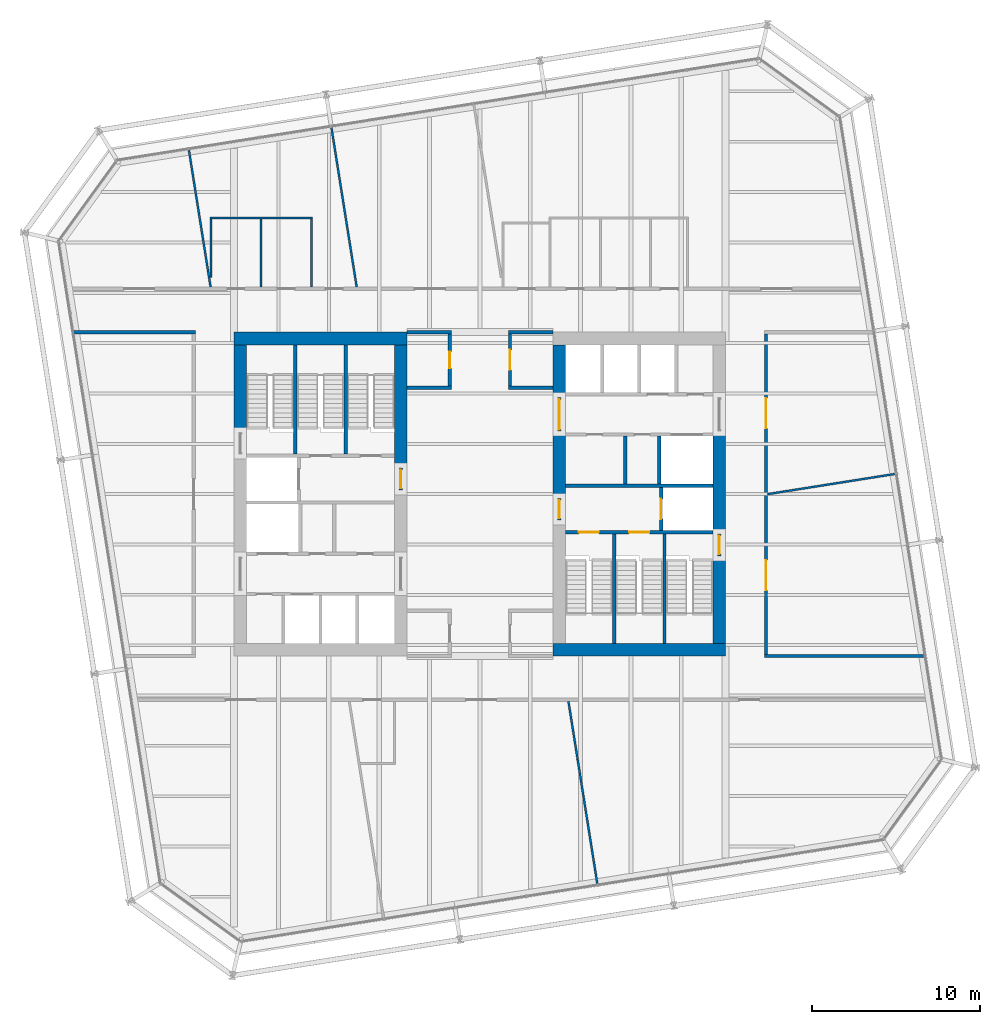
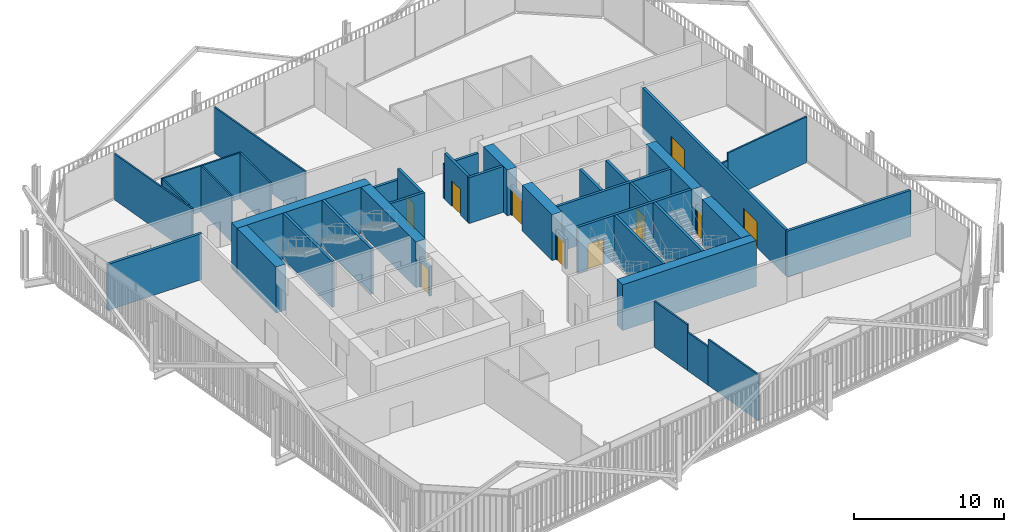
# One storey, part 19 of 22: 41 walls, 11 doors, 11 openings.
"""IFC4 building model written with IfcOpenShell, lengths in metres."""

from ifc_helpers import new_model, si_unit, direction, frame, frame_2d, origin, place, context, subcontext, project, spatial, rectangle, extrude, material, layer, layer_set, type_object, element, fill, save


model = new_model("IFC4")

# Units and contexts
model_context = context("Model", 3, precision=1e-05, world=origin(), true_north=direction((0.0, 1.0)))
body_context = subcontext(model_context, "Body", "Model", "MODEL_VIEW")
ifc_project = project(units=[si_unit("LENGTHUNIT", "METRE"), si_unit("AREAUNIT", "SQUARE_METRE"), si_unit("VOLUMEUNIT", "CUBIC_METRE"), si_unit("PLANEANGLEUNIT", "RADIAN"), si_unit("MASSUNIT", "GRAM", prefix="KILO")], contexts=[model_context])

# Site, building, storey
site_placement = place(None, origin())
site = spatial("IfcSite", under=ifc_project, at=site_placement, CompositionType="ELEMENT")
building_placement = place(site_placement, origin())
building = spatial("IfcBuilding", under=site, at=building_placement, Name="Millrace Tower", CompositionType="ELEMENT")
storey_placement = place(building_placement, frame((0.0, 0.0, 180.0)))
storey = spatial("IfcBuildingStorey", under=building, at=storey_placement, Name="L40", CompositionType="ELEMENT", Elevation=180.0)

# Walls
ifc_material_1 = material(Name="Concrete C70", Category="concrete")
ifc_layer_1 = layer(ifc_material_1, 0.75)
ifc_layer_set_1 = layer_set([ifc_layer_1], Name="Concrete C70")
wall_type_1 = type_object("IfcWallType", Name="Core wall 750 Concrete C70", PredefinedType="SHEAR", material=ifc_layer_set_1)
wall_1_placement = place(storey_placement, frame((-14.64990234375, 9.27490234375, 0.0), z_axis=(0.0, 0.0, 1.0), x_axis=(1.0, 0.0, 0.0)))
element("IfcWall", 1, at=wall_1_placement, inside=storey, type_object=wall_type_1, Name="Core wall W L40", PredefinedType="SHEAR", context=body_context, shape_type="SweptSolid", body=[
    extrude(rectangle(XDim=10.2998046875, YDim=0.75, at=frame_2d((5.14990234375, 0.0))), origin(), (0.0, 0.0, 1.0), 3.739990234375),
])
wall_2_placement = place(storey_placement, frame((-14.27490234375, 3.679931640625, 0.0), z_axis=(0.0, 0.0, 1.0), x_axis=(0.0, 1.0, 0.0)))
element("IfcWall", 2, at=wall_2_placement, inside=storey, type_object=wall_type_1, Name="Core wall W L40", PredefinedType="SHEAR", context=body_context, shape_type="SweptSolid", body=[
    extrude(rectangle(XDim=5.219970703125, YDim=0.75, at=frame_2d((2.60986328125, 0.0))), origin(), (0.0, 0.0, 1.0), 3.739990234375),
])
wall_3_placement = place(storey_placement, frame((-4.72509765625, 1.550048828125, 0.0), z_axis=(0.0, 0.0, 1.0), x_axis=(0.0, 1.0, 0.0)))
element("IfcWall", 3, at=wall_3_placement, inside=storey, type_object=wall_type_1, Name="Core wall W L40", PredefinedType="SHEAR", context=body_context, shape_type="SweptSolid", body=[
    extrude(rectangle(XDim=7.349853515625, YDim=0.75, at=frame_2d((3.6748046875, 0.0))), origin(), (0.0, 0.0, 1.0), 3.739990234375),
])
wall_4_placement = place(storey_placement, frame((14.64990234375, -9.27490234375, 0.0), z_axis=(0.0, 0.0, 1.0), x_axis=(-1.0, 0.0, 0.0)))
element("IfcWall", 4, at=wall_4_placement, inside=storey, type_object=wall_type_1, Name="Core wall E L40", PredefinedType="SHEAR", context=body_context, shape_type="SweptSolid", body=[
    extrude(rectangle(XDim=10.2998046875, YDim=0.75, at=frame_2d((5.14990234375, 0.0))), origin(), (0.0, 0.0, 1.0), 3.739990234375),
])
wall_5_placement = place(storey_placement, frame((14.27490234375, 3.75, 0.0), z_axis=(0.0, 0.0, 1.0), x_axis=(0.0, -1.0, 0.0)))
element("IfcWall", 5, at=wall_5_placement, inside=storey, type_object=wall_type_1, Name="Core wall E L40", PredefinedType="SHEAR", context=body_context, shape_type="SweptSolid", body=[
    extrude(rectangle(XDim=6.1298828125, YDim=0.75, at=frame_2d((3.06494140625, 0.0))), origin(), (0.0, 0.0, 1.0), 3.739990234375),
])
wall_6_placement = place(storey_placement, frame((14.27490234375, -3.679931640625, 0.0), z_axis=(0.0, 0.0, 1.0), x_axis=(0.0, -1.0, 0.0)))
element("IfcWall", 6, at=wall_6_placement, inside=storey, type_object=wall_type_1, Name="Core wall E L40", PredefinedType="SHEAR", context=body_context, shape_type="SweptSolid", body=[
    extrude(rectangle(XDim=5.219970703125, YDim=0.75, at=frame_2d((2.60986328125, 0.0))), origin(), (0.0, 0.0, 1.0), 3.739990234375),
])
wall_7_placement = place(storey_placement, frame((4.72509765625, 8.89990234375, 0.0), z_axis=(0.0, 0.0, 1.0), x_axis=(0.0, -1.0, 0.0)))
element("IfcWall", 7, at=wall_7_placement, inside=storey, type_object=wall_type_1, Name="Core wall E L40", PredefinedType="SHEAR", context=body_context, shape_type="SweptSolid", body=[
    extrude(rectangle(XDim=3.14990234375, YDim=0.75, at=frame_2d((1.574951171875, 0.0))), origin(), (0.0, 0.0, 1.0), 3.739990234375),
])
wall_8_placement = place(storey_placement, frame((4.72509765625, 3.75, 0.0), z_axis=(0.0, 0.0, 1.0), x_axis=(0.0, -1.0, 0.0)))
element("IfcWall", 8, at=wall_8_placement, inside=storey, type_object=wall_type_1, Name="Core wall E L40", PredefinedType="SHEAR", context=body_context, shape_type="SweptSolid", body=[
    extrude(rectangle(XDim=4.0, YDim=0.75, at=frame_2d((2.0, 0.0))), origin(), (0.0, 0.0, 1.0), 3.739990234375),
])
ifc_material_2 = material(Name="Masonry partition, fire-rated", Category="masonry")
ifc_layer_2 = layer(ifc_material_2, 0.199951171875)
ifc_layer_set_2 = layer_set([ifc_layer_2], Name="Masonry partition, fire-rated")
wall_type_2 = type_object("IfcWallType", Name="Corridor wall 200", PredefinedType="PARTITIONING", material=ifc_layer_set_2)
wall_9_placement = place(storey_placement, frame((16.949951171875, -9.64990234375, 0.0), z_axis=(0.0, 0.0, 1.0), x_axis=(1.0, 0.0, 0.0)))
element("IfcWall", 9, at=wall_9_placement, inside=storey, type_object=wall_type_2, Name="Corridor wall L40", PredefinedType="PARTITIONING", context=body_context, shape_type="SweptSolid", body=[
    extrude(rectangle(XDim=9.54638671875, YDim=0.199951171875, at=frame_2d((4.773193359375, 0.0))), origin(), (0.0, 0.0, 1.0), 3.739990234375),
])
for number, where, z_axis, x_axis, name in (
    (10, (-4.35009765625, 6.35009765625, 0.0), (0.0, 0.0, 1.0), (1.0, 0.0, 0.0), "Corridor wall L40"),
    (11, (1.699951171875, 6.35009765625, 0.0), (0.0, 0.0, 1.0), (1.0, 0.0, 0.0), "Corridor wall L40"),
):
    element("IfcWall", number, at=place(storey_placement, frame(where, z_axis=z_axis, x_axis=x_axis)), inside=storey, type_object=wall_type_2, Name=name, PredefinedType="PARTITIONING", context=body_context, shape_type="SweptSolid", body=[
        extrude(rectangle(XDim=2.650146484375, YDim=0.199951171875, at=frame_2d((1.3251953125, 0.0))), origin(), (0.0, 0.0, 1.0), 3.739990234375),
    ])
wall_10_placement = place(storey_placement, frame((-24.20703125, 9.64990234375, 0.0), z_axis=(0.0, 0.0, 1.0), x_axis=(1.0, 0.0, 0.0)))
element("IfcWall", 12, at=wall_10_placement, inside=storey, type_object=wall_type_2, Name="Corridor wall L40", PredefinedType="PARTITIONING", context=body_context, shape_type="SweptSolid", body=[
    extrude(rectangle(XDim=7.257080078125, YDim=0.199951171875, at=frame_2d((3.62841796875, 0.0))), origin(), (0.0, 0.0, 1.0), 3.739990234375),
])
for number, where, z_axis, x_axis, name in (
    (13, (-4.35009765625, 9.64990234375, 0.0), (0.0, 0.0, 1.0), (1.0, 0.0, 0.0), "Corridor wall L40"),
    (14, (1.699951171875, 9.64990234375, 0.0), (0.0, 0.0, 1.0), (1.0, 0.0, 0.0), "Corridor wall L40"),
):
    element("IfcWall", number, at=place(storey_placement, frame(where, z_axis=z_axis, x_axis=x_axis)), inside=storey, type_object=wall_type_2, Name=name, PredefinedType="PARTITIONING", context=body_context, shape_type="SweptSolid", body=[
        extrude(rectangle(XDim=2.650146484375, YDim=0.199951171875, at=frame_2d((1.3251953125, 0.0))), origin(), (0.0, 0.0, 1.0), 2.81298828125),
    ])

# Wall, openings, doors
wall_11_placement = place(storey_placement, frame((17.050048828125, -9.550048828125, 0.0), z_axis=(0.0, 0.0, 1.0), x_axis=(0.0, 1.0, 0.0)))
wall_11 = element("IfcWall", 15, at=wall_11_placement, inside=storey, type_object=wall_type_2, Name="Corridor wall L40", PredefinedType="PARTITIONING", context=body_context, shape_type="SweptSolid", body=[
    extrude(rectangle(XDim=19.10009765625, YDim=0.199951171875, at=frame_2d((9.550048828125, 0.0))), origin(), (0.0, 0.0, 1.0), 3.739990234375),
])
opening_1_placement = place(wall_11_placement, frame((3.81689453125, 0.0, 0.0)))
opening_1 = element("IfcOpeningElement", 16, at=opening_1_placement, cuts=wall_11, Name="Opening 40-P012", PredefinedType="OPENING", context=body_context, shape_type="SweptSolid", body=[
    extrude(rectangle(XDim=1.800048828125, YDim=2.10009765625, at=frame_2d((0.89990234375, 1.050048828125))), frame((0.0, 0.10986328125, 0.0), z_axis=(0.0, -1.0, 0.0), x_axis=(1.0, 0.0, 0.0)), (0.0, 0.0, 1.0), 0.219970703125),
])
opening_2_placement = place(wall_11_placement, frame((13.467041015625, 0.0, 0.0)))
opening_2 = element("IfcOpeningElement", 17, at=opening_2_placement, cuts=wall_11, Name="Opening 40-P013", PredefinedType="OPENING", context=body_context, shape_type="SweptSolid", body=[
    extrude(rectangle(XDim=1.800048828125, YDim=2.10009765625, at=frame_2d((0.89990234375, 1.050048828125))), frame((0.0, 0.10986328125, 0.0), z_axis=(0.0, -1.0, 0.0), x_axis=(1.0, 0.0, 0.0)), (0.0, 0.0, 1.0), 0.219970703125),
])
ifc_material_3 = material(Name="Steel door set, fire-rated", Category="steel")
door_type_1 = type_object("IfcDoorType", Name="Corridor door 1800 x 2100", OperationType="DOUBLE_DOOR_SINGLE_SWING", PredefinedType="DOOR", material=ifc_material_3)
door_1_placement = place(opening_1_placement, frame((1.800048828125, 0.0, 0.0), z_axis=(0.0, 0.0, 1.0), x_axis=(-1.0, 0.0, 0.0)))
door_1 = element("IfcDoor", 18, at=door_1_placement, inside=storey, type_object=door_type_1, Name="Door 40-P012", OperationType="DOUBLE_DOOR_SINGLE_SWING", OverallHeight=2.10009765625, OverallWidth=1.800048828125, PredefinedType="DOOR", context=body_context, shape_type="SweptSolid", body=[
    extrude(rectangle(XDim=1.800048828125, YDim=2.10009765625, at=frame_2d((0.89990234375, 1.050048828125))), frame((0.0, 0.02490234375, 0.0), z_axis=(0.0, -1.0, 0.0), x_axis=(1.0, 0.0, 0.0)), (0.0, 0.0, 1.0), 0.050048828125),
])
fill(opening_1, door_1)
door_2_placement = place(opening_2_placement, frame((1.800048828125, 0.0, 0.0), z_axis=(0.0, 0.0, 1.0), x_axis=(-1.0, 0.0, 0.0)))
door_2 = element("IfcDoor", 19, at=door_2_placement, inside=storey, type_object=door_type_1, Name="Door 40-P013", OperationType="DOUBLE_DOOR_SINGLE_SWING", OverallHeight=2.10009765625, OverallWidth=1.800048828125, PredefinedType="DOOR", context=body_context, shape_type="SweptSolid", body=[
    extrude(rectangle(XDim=1.800048828125, YDim=2.10009765625, at=frame_2d((0.89990234375, 1.050048828125))), frame((0.0, 0.02490234375, 0.0), z_axis=(0.0, -1.0, 0.0), x_axis=(1.0, 0.0, 0.0)), (0.0, 0.0, 1.0), 0.050048828125),
])
fill(opening_2, door_2)

# Wall, opening, door
wall_12_placement = place(storey_placement, frame((1.800048828125, 6.449951171875, 0.0), z_axis=(0.0, 0.0, 1.0), x_axis=(0.0, 1.0, 0.0)))
wall_12 = element("IfcWall", 20, at=wall_12_placement, inside=storey, type_object=wall_type_2, Name="Corridor wall L40", PredefinedType="PARTITIONING", context=body_context, shape_type="SweptSolid", body=[
    extrude(rectangle(XDim=3.10009765625, YDim=0.199951171875, at=frame_2d((1.550048828125, 0.0))), origin(), (0.0, 0.0, 1.0), 3.739990234375),
])
opening_3_placement = place(wall_12_placement, frame((0.949951171875, 0.0, 0.0)))
opening_3 = element("IfcOpeningElement", 21, at=opening_3_placement, cuts=wall_12, Name="Opening 40-P002", PredefinedType="OPENING", context=body_context, shape_type="SweptSolid", body=[
    extrude(rectangle(XDim=1.199951171875, YDim=2.10009765625, at=frame_2d((0.60009765625, 1.050048828125))), frame((0.0, 0.10986328125, 0.0), z_axis=(0.0, -1.0, 0.0), x_axis=(1.0, 0.0, 0.0)), (0.0, 0.0, 1.0), 0.219970703125),
])
ifc_material_4 = material(Name="Steel door set, fire-rated", Category="steel")
door_type_2 = type_object("IfcDoorType", Name="Corridor door 1200 x 2100", OperationType="SINGLE_SWING_LEFT", PredefinedType="DOOR", material=ifc_material_4)
door_3_placement = place(opening_3_placement, frame((1.199951171875, 0.0, 0.0), z_axis=(0.0, 0.0, 1.0), x_axis=(-1.0, 0.0, 0.0)))
door_3 = element("IfcDoor", 22, at=door_3_placement, inside=storey, type_object=door_type_2, Name="Door 40-P002", OperationType="SINGLE_SWING_LEFT", OverallHeight=2.10009765625, OverallWidth=1.199951171875, PredefinedType="DOOR", context=body_context, shape_type="SweptSolid", body=[
    extrude(rectangle(XDim=1.199951171875, YDim=2.10009765625, at=frame_2d((0.60009765625, 1.050048828125))), frame((0.0, 0.02490234375, 0.0), z_axis=(0.0, -1.0, 0.0), x_axis=(1.0, 0.0, 0.0)), (0.0, 0.0, 1.0), 0.050048828125),
])
fill(opening_3, door_3)

wall_13_placement = place(storey_placement, frame((-1.800048828125, 6.449951171875, 0.0), z_axis=(0.0, 0.0, 1.0), x_axis=(0.0, 1.0, 0.0)))
wall_13 = element("IfcWall", 23, at=wall_13_placement, inside=storey, type_object=wall_type_2, Name="Corridor wall L40", PredefinedType="PARTITIONING", context=body_context, shape_type="SweptSolid", body=[
    extrude(rectangle(XDim=3.10009765625, YDim=0.199951171875, at=frame_2d((1.550048828125, 0.0))), origin(), (0.0, 0.0, 1.0), 3.739990234375),
])
opening_4_placement = place(wall_13_placement, frame((1.050048828125, 0.0, 0.0)))
opening_4 = element("IfcOpeningElement", 24, at=opening_4_placement, cuts=wall_13, Name="Opening 40-P001", PredefinedType="OPENING", context=body_context, shape_type="SweptSolid", body=[
    extrude(rectangle(XDim=1.0, YDim=2.10009765625, at=frame_2d((0.5, 1.050048828125))), frame((0.0, 0.10986328125, 0.0), z_axis=(0.0, -1.0, 0.0), x_axis=(1.0, 0.0, 0.0)), (0.0, 0.0, 1.0), 0.219970703125),
])
ifc_material_5 = material(Name="Steel door set, fire-rated", Category="steel")
door_type_3 = type_object("IfcDoorType", Name="Corridor door 1000 x 2100", OperationType="SINGLE_SWING_LEFT", PredefinedType="DOOR", material=ifc_material_5)
door_4_placement = place(opening_4_placement, origin())
door_4 = element("IfcDoor", 25, at=door_4_placement, inside=storey, type_object=door_type_3, Name="Door 40-P001", OperationType="SINGLE_SWING_RIGHT", OverallHeight=2.10009765625, OverallWidth=1.0, PredefinedType="DOOR", context=body_context, shape_type="SweptSolid", body=[
    extrude(rectangle(XDim=1.0, YDim=2.10009765625, at=frame_2d((0.5, 1.050048828125))), frame((0.0, 0.02490234375, 0.0), z_axis=(0.0, -1.0, 0.0), x_axis=(1.0, 0.0, 0.0)), (0.0, 0.0, 1.0), 0.050048828125),
])
fill(opening_4, door_4)

# Wall
ifc_material_6 = material(Name="Masonry partition, fire-rated", Category="masonry")
ifc_layer_3 = layer(ifc_material_6, 0.199951171875)
ifc_layer_set_3 = layer_set([ifc_layer_3], Name="Masonry partition, fire-rated")
wall_type_3 = type_object("IfcWallType", Name="Lift shaft wall 200", PredefinedType="PARTITIONING", material=ifc_layer_set_3)
wall_14_placement = place(storey_placement, frame((13.89990234375, 0.5, 0.0), z_axis=(0.0, 0.0, 1.0), x_axis=(-1.0, 0.0, 0.0)))
element("IfcWall", 26, at=wall_14_placement, inside=storey, type_object=wall_type_3, Name="Lift shaft wall E L40", PredefinedType="PARTITIONING", context=body_context, shape_type="SweptSolid", body=[
    extrude(rectangle(XDim=8.7998046875, YDim=0.199951171875, at=frame_2d((4.39990234375, 0.0))), origin(), (0.0, 0.0, 1.0), 3.739990234375),
])

# Wall, opening, door
wall_15_placement = place(storey_placement, frame((10.800048828125, 0.39990234375, 0.0), z_axis=(0.0, 0.0, 1.0), x_axis=(0.0, -1.0, 0.0)))
wall_15 = element("IfcWall", 27, at=wall_15_placement, inside=storey, type_object=wall_type_3, Name="Lift shaft wall E L40", PredefinedType="PARTITIONING", context=body_context, shape_type="SweptSolid", body=[
    extrude(rectangle(XDim=2.579833984375, YDim=0.199951171875, at=frame_2d((1.2900390625, 0.0))), origin(), (0.0, 0.0, 1.0), 3.739990234375),
])
opening_5_placement = place(wall_15_placement, frame((0.68994140625, 0.0, 0.0)))
opening_5 = element("IfcOpeningElement", 28, at=opening_5_placement, cuts=wall_15, Name="Opening 40-LD16", PredefinedType="OPENING", context=body_context, shape_type="SweptSolid", body=[
    extrude(rectangle(XDim=1.199951171875, YDim=2.10009765625, at=frame_2d((0.60009765625, 1.050048828125))), frame((0.0, 0.10986328125, 0.0), z_axis=(0.0, -1.0, 0.0), x_axis=(1.0, 0.0, 0.0)), (0.0, 0.0, 1.0), 0.219970703125),
])
ifc_material_7 = material(Name="Stainless steel, fire-rated", Category="steel")
door_type_4 = type_object("IfcDoorType", Name="Lift landing door 1200 x 2100", OperationType="DOUBLE_DOOR_SLIDING", PredefinedType="DOOR", material=ifc_material_7)
door_5_placement = place(opening_5_placement, origin())
door_5 = element("IfcDoor", 29, at=door_5_placement, inside=storey, type_object=door_type_4, Name="Lift landing door LF16 L40", OperationType="DOUBLE_DOOR_SLIDING", OverallHeight=2.10009765625, OverallWidth=1.199951171875, PredefinedType="DOOR", context=body_context, shape_type="SweptSolid", body=[
    extrude(rectangle(XDim=1.199951171875, YDim=2.10009765625, at=frame_2d((0.60009765625, 1.050048828125))), frame((0.0, 0.02490234375, 0.0), z_axis=(0.0, -1.0, 0.0), x_axis=(1.0, 0.0, 0.0)), (0.0, 0.0, 1.0), 0.050048828125),
])
fill(opening_5, door_5)

# Wall
wall_16_placement = place(storey_placement, frame((10.699951171875, 3.449951171875, 0.0), z_axis=(0.0, 0.0, 1.0), x_axis=(0.0, -1.0, 0.0)))
element("IfcWall", 30, at=wall_16_placement, inside=storey, type_object=wall_type_3, Name="Lift shaft wall E L40", PredefinedType="PARTITIONING", context=body_context, shape_type="SweptSolid", body=[
    extrude(rectangle(XDim=2.849853515625, YDim=0.199951171875, at=frame_2d((1.4248046875, 0.0))), origin(), (0.0, 0.0, 1.0), 3.739990234375),
])

# Wall, opening, door
ifc_material_8 = material(Name="Masonry partition, fire-rated", Category="masonry")
ifc_layer_4 = layer(ifc_material_8, 0.199951171875)
ifc_layer_set_4 = layer_set([ifc_layer_4], Name="Masonry partition, fire-rated")
wall_type_4 = type_object("IfcWallType", Name="Lobby wall 200", PredefinedType="PARTITIONING", material=ifc_layer_set_4)
wall_17_placement = place(storey_placement, frame((-4.72509765625, 0.25, 0.0), z_axis=(0.0, 0.0, 1.0), x_axis=(0.0, 1.0, 0.0)))
wall_17 = element("IfcWall", 31, at=wall_17_placement, inside=storey, type_object=wall_type_4, Name="Lobby wall W L40", PredefinedType="PARTITIONING", context=body_context, shape_type="SweptSolid", body=[
    extrude(rectangle(XDim=1.300048828125, YDim=0.199951171875, at=frame_2d((0.64990234375, 0.0))), origin(), (0.0, 0.0, 1.0), 2.39990234375),
])
opening_6_placement = place(wall_17_placement, frame((0.10009765625, 0.0, 0.0)))
opening_6 = element("IfcOpeningElement", 32, at=opening_6_placement, cuts=wall_17, Name="Opening 40-C004", PredefinedType="OPENING", context=body_context, shape_type="SweptSolid", body=[
    extrude(rectangle(XDim=1.10009765625, YDim=2.10009765625, at=frame_2d((0.550048828125, 1.050048828125))), frame((0.0, 0.10986328125, 0.0), z_axis=(0.0, -1.0, 0.0), x_axis=(1.0, 0.0, 0.0)), (0.0, 0.0, 1.0), 0.219970703125),
])
ifc_material_9 = material(Name="Steel door, fire-rated", Category="steel")
door_type_5 = type_object("IfcDoorType", Name="Lobby door 1100 x 2100", OperationType="SINGLE_SWING_LEFT", PredefinedType="DOOR", material=ifc_material_9)
door_6_placement = place(opening_6_placement, origin())
door_6 = element("IfcDoor", 33, at=door_6_placement, inside=storey, type_object=door_type_5, Name="Lobby door 40-C004", OperationType="SINGLE_SWING_RIGHT", OverallHeight=2.10009765625, OverallWidth=1.10009765625, PredefinedType="DOOR", context=body_context, shape_type="SweptSolid", body=[
    extrude(rectangle(XDim=1.10009765625, YDim=2.10009765625, at=frame_2d((0.550048828125, 1.050048828125))), frame((0.0, 0.02490234375, 0.0), z_axis=(0.0, -1.0, 0.0), x_axis=(1.0, 0.0, 0.0)), (0.0, 0.0, 1.0), 0.050048828125),
])
fill(opening_6, door_6)

wall_18_placement = place(storey_placement, frame((4.72509765625, 5.75, 0.0), z_axis=(0.0, 0.0, 1.0), x_axis=(0.0, -1.0, 0.0)))
wall_18 = element("IfcWall", 34, at=wall_18_placement, inside=storey, type_object=wall_type_4, Name="Lobby wall E L40", PredefinedType="PARTITIONING", context=body_context, shape_type="SweptSolid", body=[
    extrude(rectangle(XDim=2.0, YDim=0.199951171875, at=frame_2d((1.0, 0.0))), origin(), (0.0, 0.0, 1.0), 2.39990234375),
])
opening_7_placement = place(wall_18_placement, frame((0.10009765625, 0.0, 0.0)))
opening_7 = element("IfcOpeningElement", 35, at=opening_7_placement, cuts=wall_18, Name="Opening 40-C012", PredefinedType="OPENING", context=body_context, shape_type="SweptSolid", body=[
    extrude(rectangle(XDim=1.800048828125, YDim=2.10009765625, at=frame_2d((0.89990234375, 1.050048828125))), frame((0.0, 0.10986328125, 0.0), z_axis=(0.0, -1.0, 0.0), x_axis=(1.0, 0.0, 0.0)), (0.0, 0.0, 1.0), 0.219970703125),
])
ifc_material_10 = material(Name="Steel door, fire-rated", Category="steel")
door_type_6 = type_object("IfcDoorType", Name="Lobby door 1800 x 2100", OperationType="DOUBLE_DOOR_SINGLE_SWING", PredefinedType="DOOR", material=ifc_material_10)
door_7_placement = place(opening_7_placement, origin())
door_7 = element("IfcDoor", 36, at=door_7_placement, inside=storey, type_object=door_type_6, Name="Lobby door 40-C012", OperationType="DOUBLE_DOOR_SINGLE_SWING", OverallHeight=2.10009765625, OverallWidth=1.800048828125, PredefinedType="DOOR", context=body_context, shape_type="SweptSolid", body=[
    extrude(rectangle(XDim=1.800048828125, YDim=2.10009765625, at=frame_2d((0.89990234375, 1.050048828125))), frame((0.0, 0.02490234375, 0.0), z_axis=(0.0, -1.0, 0.0), x_axis=(1.0, 0.0, 0.0)), (0.0, 0.0, 1.0), 0.050048828125),
])
fill(opening_7, door_7)

wall_19_placement = place(storey_placement, frame((4.72509765625, -0.25, 0.0), z_axis=(0.0, 0.0, 1.0), x_axis=(0.0, -1.0, 0.0)))
wall_19 = element("IfcWall", 37, at=wall_19_placement, inside=storey, type_object=wall_type_4, Name="Lobby wall E L40", PredefinedType="PARTITIONING", context=body_context, shape_type="SweptSolid", body=[
    extrude(rectangle(XDim=1.300048828125, YDim=0.199951171875, at=frame_2d((0.64990234375, 0.0))), origin(), (0.0, 0.0, 1.0), 2.39990234375),
])
opening_8_placement = place(wall_19_placement, frame((0.10009765625, 0.0, 0.0)))
opening_8 = element("IfcOpeningElement", 38, at=opening_8_placement, cuts=wall_19, Name="Opening 40-C013", PredefinedType="OPENING", context=body_context, shape_type="SweptSolid", body=[
    extrude(rectangle(XDim=1.10009765625, YDim=2.10009765625, at=frame_2d((0.550048828125, 1.050048828125))), frame((0.0, 0.10986328125, 0.0), z_axis=(0.0, -1.0, 0.0), x_axis=(1.0, 0.0, 0.0)), (0.0, 0.0, 1.0), 0.219970703125),
])
door_8_placement = place(opening_8_placement, origin())
door_8 = element("IfcDoor", 39, at=door_8_placement, inside=storey, type_object=door_type_5, Name="Lobby door 40-C013", OperationType="SINGLE_SWING_LEFT", OverallHeight=2.10009765625, OverallWidth=1.10009765625, PredefinedType="DOOR", context=body_context, shape_type="SweptSolid", body=[
    extrude(rectangle(XDim=1.10009765625, YDim=2.10009765625, at=frame_2d((0.550048828125, 1.050048828125))), frame((0.0, 0.02490234375, 0.0), z_axis=(0.0, -1.0, 0.0), x_axis=(1.0, 0.0, 0.0)), (0.0, 0.0, 1.0), 0.050048828125),
])
fill(opening_8, door_8)

# Walls
ifc_material_11 = material(Name="Gypsum board partition")
ifc_layer_5 = layer(ifc_material_11, 0.1201171875)
ifc_layer_set_5 = layer_set([ifc_layer_5], Name="Gypsum board partition")
wall_type_5 = type_object("IfcWallType", Name="Partition wall 120", PredefinedType="PARTITIONING", material=ifc_layer_set_5)
wall_20_placement = place(storey_placement, frame((-17.345703125, 20.535888671875, 0.0), z_axis=(0.0, 0.0, 1.0), x_axis=(0.156484349296, -0.987680438414, 0.0)))
element("IfcWall", 40, at=wall_20_placement, inside=storey, type_object=wall_type_5, Name="Partition wall L40", PredefinedType="PARTITIONING", context=body_context, shape_type="SweptSolid", body=[
    extrude(rectangle(XDim=8.2890625, YDim=0.1201171875, at=frame_2d((4.14453125, 0.0))), origin(), (0.0, 0.0, 1.0), 3.739990234375),
])
wall_21_placement = place(storey_placement, frame((-8.851806640625, 21.88134765625, 0.0), z_axis=(0.0, 0.0, 1.0), x_axis=(0.156480845836, -0.987680993482, 0.0)))
element("IfcWall", 41, at=wall_21_placement, inside=storey, type_object=wall_type_5, Name="Partition wall L40", PredefinedType="PARTITIONING", context=body_context, shape_type="SweptSolid", body=[
    extrude(rectangle(XDim=9.6513671875, YDim=0.1201171875, at=frame_2d((4.82568359375, 0.0))), origin(), (0.0, 0.0, 1.0), 3.739990234375),
])
wall_22_placement = place(storey_placement, frame((5.27783203125, -12.3486328125, 0.0), z_axis=(0.0, 0.0, 1.0), x_axis=(0.156480856271, -0.987680991829, 0.0)))
element("IfcWall", 42, at=wall_22_placement, inside=storey, type_object=wall_type_5, Name="Partition wall L40", PredefinedType="PARTITIONING", context=body_context, shape_type="SweptSolid", body=[
    extrude(rectangle(XDim=3.50732421875, YDim=0.1201171875, at=frame_2d((1.753662109375, 0.0))), origin(), (0.0, 0.0, 1.0), 3.739990234375),
])
wall_23_placement = place(storey_placement, frame((5.82666015625, -15.812744140625, 0.0), z_axis=(0.0, 0.0, 1.0), x_axis=(0.156375374173, -0.987697697857, 0.0)))
element("IfcWall", 43, at=wall_23_placement, inside=storey, type_object=wall_type_5, Name="Partition wall L40", PredefinedType="PARTITIONING", context=body_context, shape_type="SweptSolid", body=[
    extrude(rectangle(XDim=2.217041015625, YDim=0.1201171875, at=frame_2d((1.1083984375, 0.0))), origin(), (0.0, 0.0, 1.0), 3.1328125),
])
wall_24_placement = place(storey_placement, frame((6.17333984375, -18.00244140625, 0.0), z_axis=(0.0, 0.0, 1.0), x_axis=(0.156486008291, -0.987680175568, 0.0)))
element("IfcWall", 44, at=wall_24_placement, inside=storey, type_object=wall_type_5, Name="Partition wall L40", PredefinedType="PARTITIONING", context=body_context, shape_type="SweptSolid", body=[
    extrude(rectangle(XDim=5.31689453125, YDim=0.1201171875, at=frame_2d((2.658447265625, 0.0))), origin(), (0.0, 0.0, 1.0), 3.739990234375),
])
wall_25_placement = place(storey_placement, frame((-16.093017578125, 16.449951171875, 0.0), z_axis=(0.0, 0.0, 1.0), x_axis=(1.0, 0.0, 0.0)))
element("IfcWall", 45, at=wall_25_placement, inside=storey, type_object=wall_type_5, Name="Partition wall L40", PredefinedType="PARTITIONING", context=body_context, shape_type="SweptSolid", body=[
    extrude(rectangle(XDim=6.1201171875, YDim=0.1201171875, at=frame_2d((3.06005859375, 0.0))), origin(), (0.0, 0.0, 1.0), 3.739990234375),
])
wall_26_placement = place(storey_placement, frame((17.148681640625, -0.000244140625, 0.0), z_axis=(0.0, 0.0, 1.0), x_axis=(0.987721262279, 0.156226463961, 0.0)))
element("IfcWall", 46, at=wall_26_placement, inside=storey, type_object=wall_type_5, Name="Partition wall L40", PredefinedType="PARTITIONING", context=body_context, shape_type="SweptSolid", body=[
    extrude(rectangle(XDim=0.9501953125, YDim=0.1201171875, at=frame_2d((0.47509765625, 0.0))), origin(), (0.0, 0.0, 1.0), 3.140625),
])
wall_27_placement = place(storey_placement, frame((18.087158203125, 0.148193359375, 0.0), z_axis=(0.0, 0.0, 1.0), x_axis=(0.987686857181, 0.156443830663, 0.0)))
element("IfcWall", 47, at=wall_27_placement, inside=storey, type_object=wall_type_5, Name="Partition wall L40", PredefinedType="PARTITIONING", context=body_context, shape_type="SweptSolid", body=[
    extrude(rectangle(XDim=6.77294921875, YDim=0.1201171875, at=frame_2d((3.386474609375, 0.0))), origin(), (0.0, 0.0, 1.0), 3.739990234375),
])
for number, where, z_axis, x_axis, name in (
    (48, (-10.032958984375, 12.35009765625, 0.0), (0.0, 0.0, 1.0), (0.0, 1.0, 0.0), "Partition wall L40"),
    (49, (-13.032958984375, 12.35009765625, 0.0), (0.0, 0.0, 1.0), (0.0, 1.0, 0.0), "Partition wall L40"),
):
    element("IfcWall", number, at=place(storey_placement, frame(where, z_axis=z_axis, x_axis=x_axis)), inside=storey, type_object=wall_type_5, Name=name, PredefinedType="PARTITIONING", context=body_context, shape_type="SweptSolid", body=[
        extrude(rectangle(XDim=4.039794921875, YDim=0.1201171875, at=frame_2d((2.02001953125, 0.0))), origin(), (0.0, 0.0, 1.0), 3.739990234375),
    ])
wall_28_placement = place(storey_placement, frame((-16.032958984375, 12.91748046875, 0.0), z_axis=(0.0, 0.0, 1.0), x_axis=(0.0, 1.0, 0.0)))
element("IfcWall", 50, at=wall_28_placement, inside=storey, type_object=wall_type_5, Name="Partition wall L40", PredefinedType="PARTITIONING", context=body_context, shape_type="SweptSolid", body=[
    extrude(rectangle(XDim=3.472412109375, YDim=0.1201171875, at=frame_2d((1.736328125, 0.0))), origin(), (0.0, 0.0, 1.0), 3.739990234375),
])
ifc_material_12 = material(Name="Masonry partition, fire-rated", Category="masonry")
ifc_layer_6 = layer(ifc_material_12, 0.199951171875)
ifc_layer_set_6 = layer_set([ifc_layer_6], Name="Masonry partition, fire-rated")
wall_type_6 = type_object("IfcWallType", Name="Room partition 200", PredefinedType="PARTITIONING", material=ifc_layer_set_6)
wall_29_placement = place(storey_placement, frame((8.675048828125, 3.449951171875, 0.0), z_axis=(0.0, 0.0, 1.0), x_axis=(0.0, -1.0, 0.0)))
element("IfcWall", 51, at=wall_29_placement, inside=storey, type_object=wall_type_6, Name="Room partition E L40", PredefinedType="PARTITIONING", context=body_context, shape_type="SweptSolid", body=[
    extrude(rectangle(XDim=2.849853515625, YDim=0.199951171875, at=frame_2d((1.4248046875, 0.0))), origin(), (0.0, 0.0, 1.0), 3.739990234375),
])
ifc_material_13 = material(Name="Concrete C40", Category="concrete")
ifc_layer_7 = layer(ifc_material_13, 0.199951171875)
ifc_layer_set_7 = layer_set([ifc_layer_7], Name="Concrete C40")
wall_type_7 = type_object("IfcWallType", Name="Stair enclosure wall 200 Concrete C40", PredefinedType="SHEAR", material=ifc_layer_set_7)
for number, where, z_axis, x_axis, name in (
    (52, (-11.0, 2.3798828125, 0.0), (0.0, 0.0, 1.0), (0.0, 1.0, 0.0), "Stair enclosure wall W L40"),
    (53, (-8.0, 2.3798828125, 0.0), (0.0, 0.0, 1.0), (0.0, 1.0, 0.0), "Stair enclosure wall W L40"),
):
    element("IfcWall", number, at=place(storey_placement, frame(where, z_axis=z_axis, x_axis=x_axis)), inside=storey, type_object=wall_type_7, Name=name, PredefinedType="SHEAR", context=body_context, shape_type="SweptSolid", body=[
        extrude(rectangle(XDim=6.52001953125, YDim=0.199951171875, at=frame_2d((3.260009765625, 0.0))), origin(), (0.0, 0.0, 1.0), 3.739990234375),
    ])

# Wall, opening, door
wall_30_placement = place(storey_placement, frame((14.27490234375, -2.3798828125, 0.0), z_axis=(0.0, 0.0, 1.0), x_axis=(0.0, -1.0, 0.0)))
wall_30 = element("IfcWall", 54, at=wall_30_placement, inside=storey, type_object=wall_type_7, Name="Stair enclosure wall E L40", PredefinedType="SHEAR", context=body_context, shape_type="SweptSolid", body=[
    extrude(rectangle(XDim=1.300048828125, YDim=0.199951171875, at=frame_2d((0.64990234375, 0.0))), origin(), (0.0, 0.0, 1.0), 2.39990234375),
])
opening_9_placement = place(wall_30_placement, frame((0.10009765625, 0.0, 0.0)))
opening_9 = element("IfcOpeningElement", 55, at=opening_9_placement, cuts=wall_30, Name="Opening 40-C011", PredefinedType="OPENING", context=body_context, shape_type="SweptSolid", body=[
    extrude(rectangle(XDim=1.10009765625, YDim=2.10009765625, at=frame_2d((0.550048828125, 1.050048828125))), frame((0.0, 0.10986328125, 0.0), z_axis=(0.0, -1.0, 0.0), x_axis=(1.0, 0.0, 0.0)), (0.0, 0.0, 1.0), 0.219970703125),
])
ifc_material_14 = material(Name="Steel door, fire-rated", Category="steel")
door_type_7 = type_object("IfcDoorType", Name="Stair door 1100 x 2100", OperationType="SINGLE_SWING_LEFT", PredefinedType="DOOR", material=ifc_material_14)
door_9_placement = place(opening_9_placement, origin())
door_9 = element("IfcDoor", 56, at=door_9_placement, inside=storey, type_object=door_type_7, Name="Stair door 40-C011", OperationType="SINGLE_SWING_LEFT", OverallHeight=2.10009765625, OverallWidth=1.10009765625, PredefinedType="DOOR", context=body_context, shape_type="SweptSolid", body=[
    extrude(rectangle(XDim=1.10009765625, YDim=2.10009765625, at=frame_2d((0.550048828125, 1.050048828125))), frame((0.0, 0.02490234375, 0.0), z_axis=(0.0, -1.0, 0.0), x_axis=(1.0, 0.0, 0.0)), (0.0, 0.0, 1.0), 0.050048828125),
])
fill(opening_9, door_9)

# Wall, openings, doors
wall_31_placement = place(storey_placement, frame((13.89990234375, -2.280029296875, 0.0), z_axis=(0.0, 0.0, 1.0), x_axis=(-1.0, 0.0, 0.0)))
wall_31 = element("IfcWall", 57, at=wall_31_placement, inside=storey, type_object=wall_type_7, Name="Stair enclosure wall E L40", PredefinedType="SHEAR", context=body_context, shape_type="SweptSolid", body=[
    extrude(rectangle(XDim=8.7998046875, YDim=0.199951171875, at=frame_2d((4.39990234375, 0.0))), origin(), (0.0, 0.0, 1.0), 3.739990234375),
])
opening_10_placement = place(wall_31_placement, frame((3.800048828125, 0.0, 0.0)))
opening_10 = element("IfcOpeningElement", 58, at=opening_10_placement, cuts=wall_31, Name="Opening 40-C017", PredefinedType="OPENING", context=body_context, shape_type="SweptSolid", body=[
    extrude(rectangle(XDim=1.199951171875, YDim=2.10009765625, at=frame_2d((0.60009765625, 1.050048828125))), frame((0.0, 0.10986328125, 0.0), z_axis=(0.0, -1.0, 0.0), x_axis=(1.0, 0.0, 0.0)), (0.0, 0.0, 1.0), 0.219970703125),
])
opening_11_placement = place(wall_31_placement, frame((6.800048828125, 0.0, 0.0)))
opening_11 = element("IfcOpeningElement", 59, at=opening_11_placement, cuts=wall_31, Name="Opening 40-C018", PredefinedType="OPENING", context=body_context, shape_type="SweptSolid", body=[
    extrude(rectangle(XDim=1.199951171875, YDim=2.10009765625, at=frame_2d((0.60009765625, 1.050048828125))), frame((0.0, 0.10986328125, 0.0), z_axis=(0.0, -1.0, 0.0), x_axis=(1.0, 0.0, 0.0)), (0.0, 0.0, 1.0), 0.219970703125),
])
ifc_material_15 = material(Name="Steel door, fire-rated", Category="steel")
door_type_8 = type_object("IfcDoorType", Name="Stair door 1200 x 2100", OperationType="SINGLE_SWING_LEFT", PredefinedType="DOOR", material=ifc_material_15)
door_10_placement = place(opening_10_placement, frame((1.199951171875, 0.0, 0.0), z_axis=(0.0, 0.0, 1.0), x_axis=(-1.0, 0.0, 0.0)))
door_10 = element("IfcDoor", 60, at=door_10_placement, inside=storey, type_object=door_type_8, Name="Stair door 40-C017", OperationType="SINGLE_SWING_RIGHT", OverallHeight=2.10009765625, OverallWidth=1.199951171875, PredefinedType="DOOR", context=body_context, shape_type="SweptSolid", body=[
    extrude(rectangle(XDim=1.199951171875, YDim=2.10009765625, at=frame_2d((0.60009765625, 1.050048828125))), frame((0.0, 0.02490234375, 0.0), z_axis=(0.0, -1.0, 0.0), x_axis=(1.0, 0.0, 0.0)), (0.0, 0.0, 1.0), 0.050048828125),
])
fill(opening_10, door_10)
door_11_placement = place(opening_11_placement, frame((1.199951171875, 0.0, 0.0), z_axis=(0.0, 0.0, 1.0), x_axis=(-1.0, 0.0, 0.0)))
door_11 = element("IfcDoor", 61, at=door_11_placement, inside=storey, type_object=door_type_8, Name="Stair door 40-C018", OperationType="SINGLE_SWING_LEFT", OverallHeight=2.10009765625, OverallWidth=1.199951171875, PredefinedType="DOOR", context=body_context, shape_type="SweptSolid", body=[
    extrude(rectangle(XDim=1.199951171875, YDim=2.10009765625, at=frame_2d((0.60009765625, 1.050048828125))), frame((0.0, 0.02490234375, 0.0), z_axis=(0.0, -1.0, 0.0), x_axis=(1.0, 0.0, 0.0)), (0.0, 0.0, 1.0), 0.050048828125),
])
fill(opening_11, door_11)

# Walls
for number, where, z_axis, x_axis, name in (
    (62, (11.0, -2.3798828125, 0.0), (0.0, 0.0, 1.0), (0.0, -1.0, 0.0), "Stair enclosure wall E L40"),
    (63, (8.0, -2.3798828125, 0.0), (0.0, 0.0, 1.0), (0.0, -1.0, 0.0), "Stair enclosure wall E L40"),
):
    element("IfcWall", number, at=place(storey_placement, frame(where, z_axis=z_axis, x_axis=x_axis)), inside=storey, type_object=wall_type_7, Name=name, PredefinedType="SHEAR", context=body_context, shape_type="SweptSolid", body=[
        extrude(rectangle(XDim=6.52001953125, YDim=0.199951171875, at=frame_2d((3.260009765625, 0.0))), origin(), (0.0, 0.0, 1.0), 3.739990234375),
    ])

save(model, "model.ifc")
